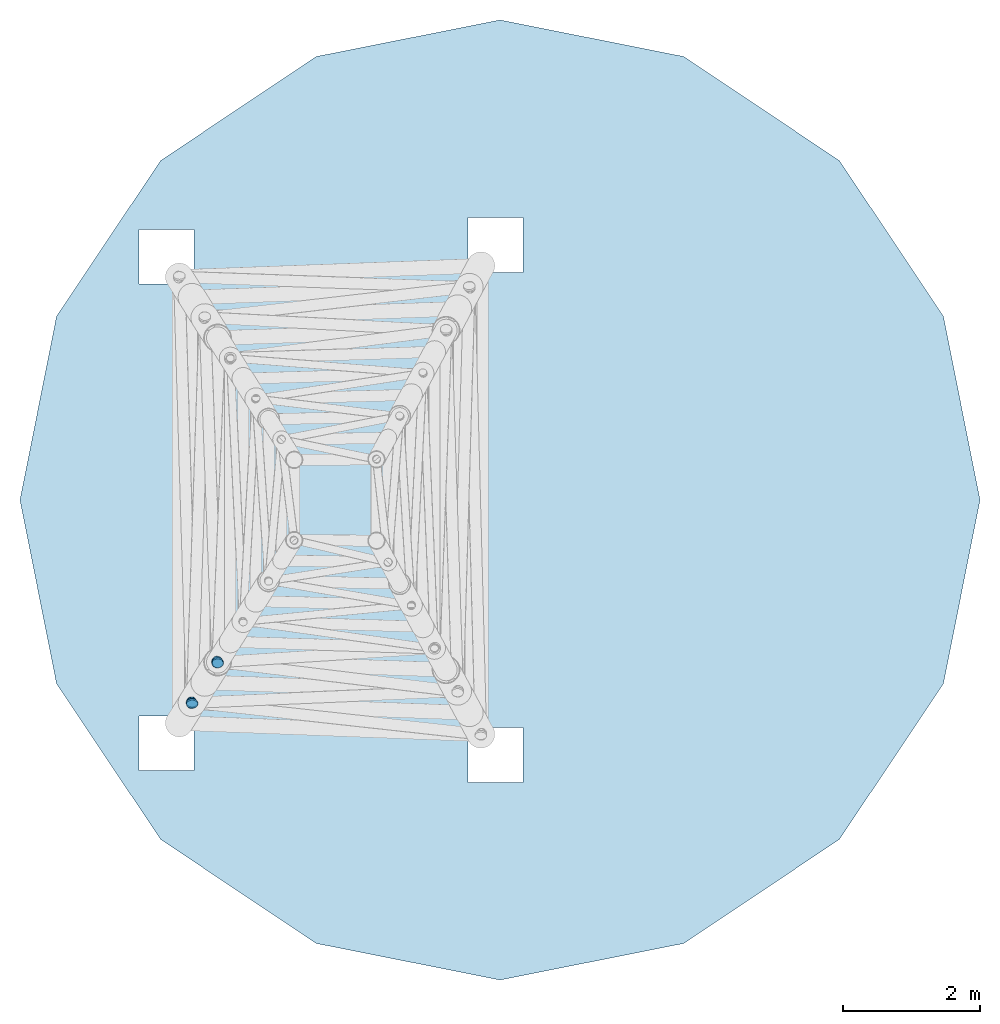
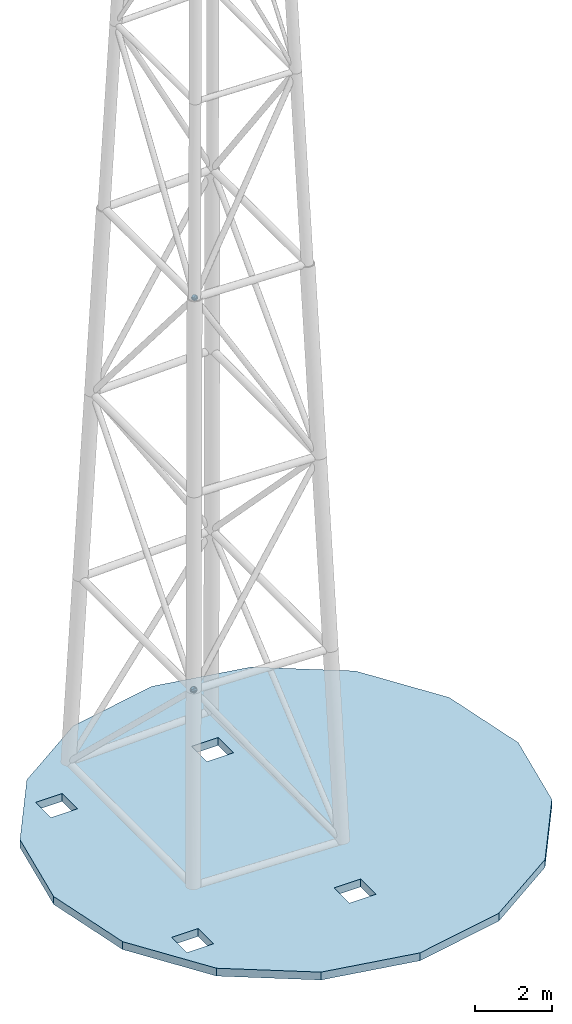
# One storey, part 3 of 10: 7 discrete accessories, 1 slab.
"""IFC4 building model written with IfcOpenShell, lengths in metres."""

from ifc_helpers import new_model, si_unit, direction, frame, origin, origin_2d, place, context, subcontext, project, spatial, polyline, circle, outline, extrude, material, layer, layer_set, material_profile, profile_set, type_object, element, save


model = new_model("IFC4")

# Units and contexts
model_context = context("Model", 3, precision=1e-05, world=origin(), true_north=direction((0.0, 1.0)))
body_context = subcontext(model_context, "Body", "Model", "MODEL_VIEW")
ifc_project = project(units=[si_unit("LENGTHUNIT", "METRE"), si_unit("AREAUNIT", "SQUARE_METRE"), si_unit("VOLUMEUNIT", "CUBIC_METRE"), si_unit("PLANEANGLEUNIT", "RADIAN"), si_unit("MASSUNIT", "GRAM", prefix="KILO")], contexts=[model_context])

# Site, building, storey
site_placement = place(None, origin())
site = spatial("IfcSite", under=ifc_project, at=site_placement, CompositionType="ELEMENT")
building_placement = place(site_placement, origin())
building = spatial("IfcBuilding", under=site, at=building_placement, Name="Alderwake Tower", CompositionType="ELEMENT")
storey_placement = place(building_placement, frame((0.0, 0.0, 319.25)))
storey = spatial("IfcBuildingStorey", under=building, at=storey_placement, Name="Upper roof", CompositionType="ELEMENT", Elevation=319.25)

# Slab
ifc_material_1 = material(Name="Concrete C50/60", Category="concrete")
ifc_layer = layer(ifc_material_1, 0.25)
ifc_layer_set = layer_set([ifc_layer], Name="Drum roof slab")
slab_type = type_object("IfcSlabType", Name="Drum roof slab", PredefinedType="ROOF", material=ifc_layer_set)
slab_placement = place(storey_placement, origin())
element("IfcSlab", 1, at=slab_placement, inside=storey, type_object=slab_type, Name="Crown drum roof", PredefinedType="ROOF", context=body_context, shape_type="SweptSolid", body=[
    extrude(outline(polyline([(32.10009765625, 61.0), (31.567138671875, 63.6787109375), (30.0498046875, 65.94970703125), (27.77880859375, 67.46728515625), (25.10009765625, 68.0), (22.421142578125, 67.46728515625), (20.150390625, 65.94970703125), (18.6328125, 63.6787109375), (18.10009765625, 61.0), (18.6328125, 58.3212890625), (20.150390625, 56.05029296875), (22.421142578125, 54.53271484375), (25.10009765625, 54.0), (27.77880859375, 54.53271484375), (30.0498046875, 56.05029296875), (31.567138671875, 58.3212890625), (32.10009765625, 61.0)]), holes=[polyline([(19.837158203125, 57.052001953125), (20.63720703125, 57.052001953125), (20.63720703125, 57.851806640625), (19.837158203125, 57.851806640625), (19.837158203125, 57.052001953125)]), polyline([(24.63427734375, 56.882080078125), (25.43408203125, 56.882080078125), (25.43408203125, 57.68212890625), (24.63427734375, 57.68212890625), (24.63427734375, 56.882080078125)]), polyline([(19.837158203125, 64.148193359375), (20.63720703125, 64.148193359375), (20.63720703125, 64.947998046875), (19.837158203125, 64.947998046875), (19.837158203125, 64.148193359375)]), polyline([(24.63427734375, 64.31787109375), (25.43408203125, 64.31787109375), (25.43408203125, 65.117919921875), (24.63427734375, 65.117919921875), (24.63427734375, 64.31787109375)])]), origin(), (0.0, 0.0, 1.0), 0.25),
])

# Discrete accessories
ifc_material_2 = material(Name="Steel ASTM A572 Grade 50", Category="steel")
ifc_material_profile = material_profile(ifc_material_2, circle(Radius=0.084228515625, at=origin_2d()), Name="HSS6.625X0.280 cap")
ifc_profile_set = profile_set([ifc_material_profile], Name="Steel ASTM A572 Grade 50")
discrete_accessory_type = type_object("IfcDiscreteAccessoryType", Name="End cap plate HSS6.625X0.280", PredefinedType="USERDEFINED", material=ifc_profile_set)
discrete_accessory_1_placement = place(storey_placement, frame((20.609375, 58.04443359375, 7.75), z_axis=(-0.572234700794, 0.065398251519, 0.817478143992), x_axis=(-0.113546591161, -0.993532672656, 0.0)))
element("IfcDiscreteAccessory", 2, at=discrete_accessory_1_placement, inside=storey, type_object=discrete_accessory_type, Name="End cap MD1.2 N", ObjectType="END CAP", PredefinedType="USERDEFINED", context=body_context, shape_type="SweptSolid", body=[
    extrude(circle(Radius=0.084228515625, at=origin_2d()), origin(), (0.0, 0.0, 1.0), 0.02978515625),
])
for number, where, z_axis, x_axis, name in (
    (3, (20.609375, 58.04443359375, 7.75), (0.024369312904, -0.72295628282, 0.690463865615), (0.999432373579, 0.033688731694, 0.0), "End cap MD3.2 N"),
    (4, (20.609375, 58.04443359375, 7.75), (-0.545111931569, -0.024407996936, -0.8380078948), (0.044731300944, -0.998999054412, 0.0), "End cap MD1.3 S"),
    (5, (20.609375, 58.04443359375, 7.75), (-0.024361276857, -0.682115751988, -0.730838305701), (0.999362854348, -0.035691530512, 0.0), "End cap MD3.3 S"),
    (6, (20.981689453125, 58.63671875, 19.75), (-0.50381534279, 0.065008431328, 0.861361715092), (-0.12797133763, -0.991777866634, 0.0), "End cap MD1.4 N"),
    (7, (20.981689453125, 58.63671875, 19.75), (0.024424979227, -0.643191119642, 0.765316015776), (0.999279740613, 0.037947331922, 0.0), "End cap MD3.4 N"),
):
    element("IfcDiscreteAccessory", number, at=place(storey_placement, frame(where, z_axis=z_axis, x_axis=x_axis)), inside=storey, type_object=discrete_accessory_type, Name=name, ObjectType="END CAP", PredefinedType="USERDEFINED", context=body_context, shape_type="SweptSolid", body=[
        extrude(circle(Radius=0.084228515625, at=origin_2d()), origin(), (0.0, 0.0, 1.0), 0.030029296875),
    ])
discrete_accessory_2_placement = place(storey_placement, frame((20.981689453125, 58.63671875, 19.75), z_axis=(-0.469608687517, -0.024290104527, -0.882540464472), x_axis=(0.051655085428, -0.998664984942, 0.0)))
element("IfcDiscreteAccessory", 8, at=discrete_accessory_2_placement, inside=storey, type_object=discrete_accessory_type, Name="End cap MD1.5 S", ObjectType="END CAP", PredefinedType="USERDEFINED", context=body_context, shape_type="SweptSolid", body=[
    extrude(circle(Radius=0.084228515625, at=origin_2d()), origin(), (0.0, 0.0, 1.0), 0.0302734375),
])

save(model, "model.ifc")
